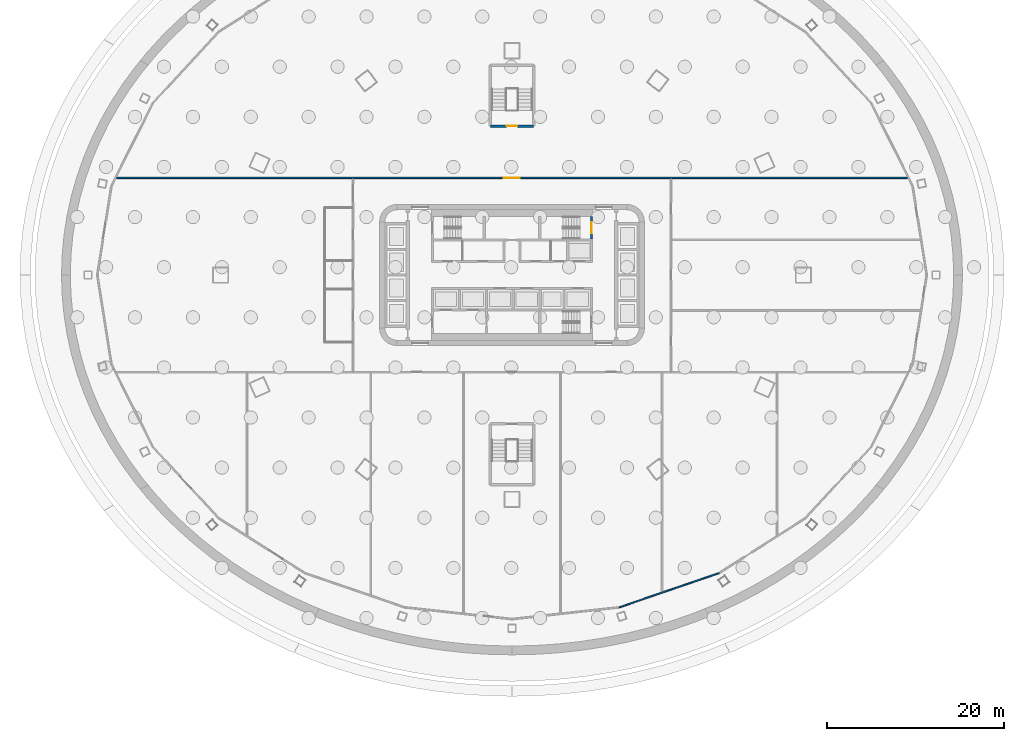
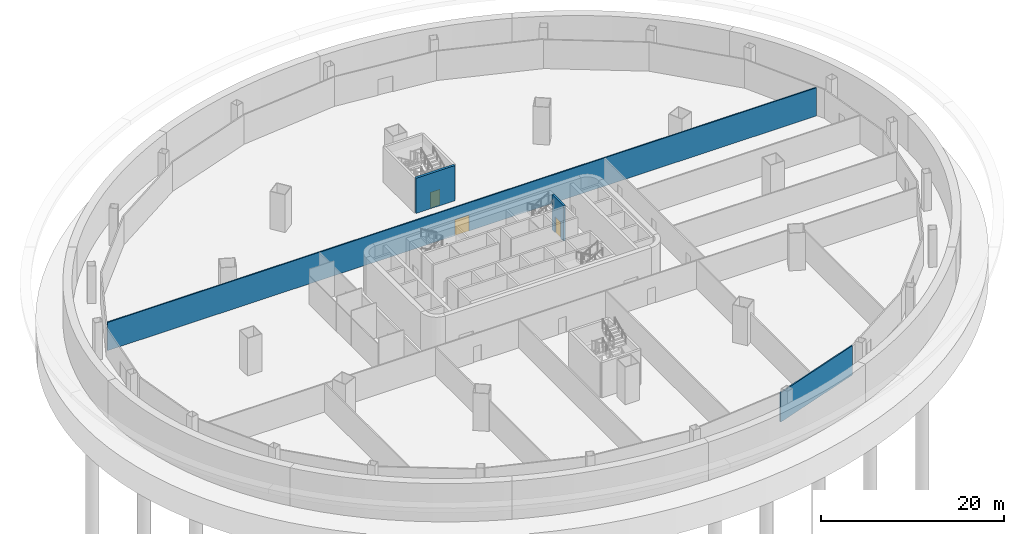
# One storey, part 9 of 19: 4 walls, 3 doors, 3 openings.
"""IFC4 building model written with IfcOpenShell, lengths in metres."""

from ifc_helpers import new_model, si_unit, direction, frame, frame_2d, origin, place, context, subcontext, project, spatial, rectangle, extrude, material, layer, layer_set, type_object, element, fill, save


model = new_model("IFC4")

# Units and contexts
model_context = context("Model", 3, precision=1e-05, world=origin(), true_north=direction((0.0, 1.0)))
body_context = subcontext(model_context, "Body", "Model", "MODEL_VIEW")
ifc_project = project(units=[si_unit("LENGTHUNIT", "METRE"), si_unit("AREAUNIT", "SQUARE_METRE"), si_unit("VOLUMEUNIT", "CUBIC_METRE"), si_unit("PLANEANGLEUNIT", "RADIAN"), si_unit("MASSUNIT", "GRAM", prefix="KILO")], contexts=[model_context])

# Site, building, storey
site_placement = place(None, origin())
site = spatial("IfcSite", under=ifc_project, at=site_placement, CompositionType="ELEMENT")
building_placement = place(site_placement, origin())
building = spatial("IfcBuilding", under=site, at=building_placement, Name="Sahrelin Media Tower", CompositionType="ELEMENT")
storey_placement = place(building_placement, frame((0.0, 0.0, -5.0)))
storey = spatial("IfcBuildingStorey", under=building, at=storey_placement, Name="B1", CompositionType="ELEMENT", Elevation=-5.0)

# Wall
ifc_material_1 = material(Name="Fire-rated gypsum board partition")
ifc_layer_1 = layer(ifc_material_1, 0.14990234375)
ifc_layer_set_1 = layer_set([ifc_layer_1], Name="Fire-rated partition 150")
wall_type_1 = type_object("IfcWallType", Name="Fire-rated partition 150", PredefinedType="PARTITIONING", material=ifc_layer_set_1)
wall_1_placement = place(storey_placement, frame((12.151611328125, -37.622802734375, 0.0), z_axis=(0.0, 0.0, 1.0), x_axis=(0.945720874623, 0.324980041391, 0.0)))
element("IfcWall", 1, at=wall_1_placement, inside=storey, type_object=wall_type_1, Name="Wall", PredefinedType="PARTITIONING", context=body_context, shape_type="SweptSolid", body=[
    extrude(rectangle(XDim=11.973388671875, YDim=0.14990234375, at=frame_2d((5.98681640625, 0.0))), origin(), (0.0, 0.0, 1.0), 3.926025390625),
])

# Wall, opening, door
wall_2_placement = place(storey_placement, frame((-44.77001953125, 11.0, 0.0), z_axis=(0.0, 0.0, 1.0), x_axis=(1.0, 0.0, 0.0)))
wall_2 = element("IfcWall", 2, at=wall_2_placement, inside=storey, type_object=wall_type_1, Name="Wall", PredefinedType="PARTITIONING", context=body_context, shape_type="SweptSolid", body=[
    extrude(rectangle(XDim=89.5400390625, YDim=0.14990234375, at=frame_2d((44.77001953125, 0.0))), origin(), (0.0, 0.0, 1.0), 3.768310546875),
])
opening_1_placement = place(wall_2_placement, frame((43.85009765625, 0.0, 0.0)))
opening_1 = element("IfcOpeningElement", 3, at=opening_1_placement, cuts=wall_2, Name="Opening B1-D19", PredefinedType="OPENING", context=body_context, shape_type="SweptSolid", body=[
    extrude(rectangle(XDim=1.800048828125, YDim=2.10009765625, at=frame_2d((0.89990234375, 1.050048828125))), frame((0.0, 0.074951171875, 0.0), z_axis=(0.0, -1.0, 0.0), x_axis=(1.0, 0.0, 0.0)), (0.0, 0.0, 1.0), 0.14990234375),
])
ifc_material_2 = material(Name="Timber door leaf", Category="wood")
door_type_1 = type_object("IfcDoorType", Name="Double door 1800 x 2100", OperationType="DOUBLE_DOOR_SINGLE_SWING", PredefinedType="DOOR", material=ifc_material_2)
door_1_placement = place(opening_1_placement, origin())
door_1 = element("IfcDoor", 4, at=door_1_placement, inside=storey, type_object=door_type_1, Name="Double door", OperationType="DOUBLE_DOOR_SINGLE_SWING", OverallHeight=2.10009765625, OverallWidth=1.800048828125, PredefinedType="DOOR", context=body_context, shape_type="SweptSolid", body=[
    extrude(rectangle(XDim=1.800048828125, YDim=2.10009765625, at=frame_2d((0.89990234375, 1.050048828125))), frame((0.0, 0.02490234375, 0.0), z_axis=(0.0, -1.0, 0.0), x_axis=(1.0, 0.0, 0.0)), (0.0, 0.0, 1.0), 0.050048828125),
])
fill(opening_1, door_1)

ifc_material_3 = material(Name="Concrete C60/75", Category="concrete")
ifc_layer_2 = layer(ifc_material_3, 0.25)
ifc_layer_set_2 = layer_set([ifc_layer_2], Name="Stair enclosure wall 250")
wall_type_2 = type_object("IfcWallType", Name="Stair enclosure wall 250", PredefinedType="SOLIDWALL", material=ifc_layer_set_2)
wall_3_placement = place(storey_placement, frame((9.0, 4.10009765625, 0.0), z_axis=(0.0, 0.0, 1.0), x_axis=(0.0, 1.0, 0.0)))
wall_3 = element("IfcWall", 5, at=wall_3_placement, inside=storey, type_object=wall_type_2, Name="Stair enclosure wall", PredefinedType="SOLIDWALL", context=body_context, shape_type="SweptSolid", body=[
    extrude(rectangle(XDim=2.5, YDim=0.25, at=frame_2d((1.25, 0.0))), origin(), (0.0, 0.0, 1.0), 4.699951171875),
])
opening_2_placement = place(wall_3_placement, frame((0.64990234375, 0.0, 0.0)))
opening_2 = element("IfcOpeningElement", 6, at=opening_2_placement, cuts=wall_3, Name="Opening B1-D02", PredefinedType="OPENING", context=body_context, shape_type="SweptSolid", body=[
    extrude(rectangle(XDim=1.199951171875, YDim=2.10009765625, at=frame_2d((0.60009765625, 1.050048828125))), frame((0.0, 0.125, 0.0), z_axis=(0.0, -1.0, 0.0), x_axis=(1.0, 0.0, 0.0)), (0.0, 0.0, 1.0), 0.25),
])
ifc_material_4 = material(Name="Steel fire door leaf", Category="steel")
door_type_2 = type_object("IfcDoorType", Name="Stair door 1200 x 2100 EI 120", OperationType="NOTDEFINED", PredefinedType="DOOR", material=ifc_material_4)
door_2_placement = place(opening_2_placement, origin())
door_2 = element("IfcDoor", 7, at=door_2_placement, inside=storey, type_object=door_type_2, Name="Stair door ST3", OperationType="SINGLE_SWING_LEFT", OverallHeight=2.10009765625, OverallWidth=1.199951171875, PredefinedType="DOOR", context=body_context, shape_type="SweptSolid", body=[
    extrude(rectangle(XDim=1.199951171875, YDim=2.10009765625, at=frame_2d((0.60009765625, 1.050048828125))), frame((0.0, 0.02490234375, 0.0), z_axis=(0.0, -1.0, 0.0), x_axis=(1.0, 0.0, 0.0)), (0.0, 0.0, 1.0), 0.050048828125),
])
fill(opening_2, door_2)

ifc_layer_3 = layer(ifc_material_3, 0.300048828125)
ifc_layer_set_3 = layer_set([ifc_layer_3], Name="Stair enclosure wall 300")
wall_type_3 = type_object("IfcWallType", Name="Stair enclosure wall 300", PredefinedType="SOLIDWALL", material=ifc_layer_set_3)
wall_4_placement = place(storey_placement, frame((2.449951171875, 16.85009765625, 0.0), z_axis=(0.0, 0.0, 1.0), x_axis=(-1.0, 0.0, 0.0)))
wall_4 = element("IfcWall", 8, at=wall_4_placement, inside=storey, type_object=wall_type_3, Name="Stair BS1", PredefinedType="SOLIDWALL", context=body_context, shape_type="SweptSolid", body=[
    extrude(rectangle(XDim=4.89990234375, YDim=0.300048828125, at=frame_2d((2.449951171875, 0.0))), origin(), (0.0, 0.0, 1.0), 4.699951171875),
])
opening_3_placement = place(wall_4_placement, frame((1.85009765625, 0.0, 0.0)))
opening_3 = element("IfcOpeningElement", 9, at=opening_3_placement, cuts=wall_4, Name="Opening B1-D40", PredefinedType="OPENING", context=body_context, shape_type="SweptSolid", body=[
    extrude(rectangle(XDim=1.199951171875, YDim=2.10009765625, at=frame_2d((0.60009765625, 1.050048828125))), frame((0.0, 0.14990234375, 0.0), z_axis=(0.0, -1.0, 0.0), x_axis=(1.0, 0.0, 0.0)), (0.0, 0.0, 1.0), 0.300048828125),
])
door_3_placement = place(opening_3_placement, origin())
door_3 = element("IfcDoor", 10, at=door_3_placement, inside=storey, type_object=door_type_2, Name="Stair door", OperationType="SINGLE_SWING_RIGHT", OverallHeight=2.10009765625, OverallWidth=1.199951171875, PredefinedType="DOOR", context=body_context, shape_type="SweptSolid", body=[
    extrude(rectangle(XDim=1.199951171875, YDim=2.10009765625, at=frame_2d((0.60009765625, 1.050048828125))), frame((0.0, 0.02490234375, 0.0), z_axis=(0.0, -1.0, 0.0), x_axis=(1.0, 0.0, 0.0)), (0.0, 0.0, 1.0), 0.050048828125),
])
fill(opening_3, door_3)

save(model, "model.ifc")
